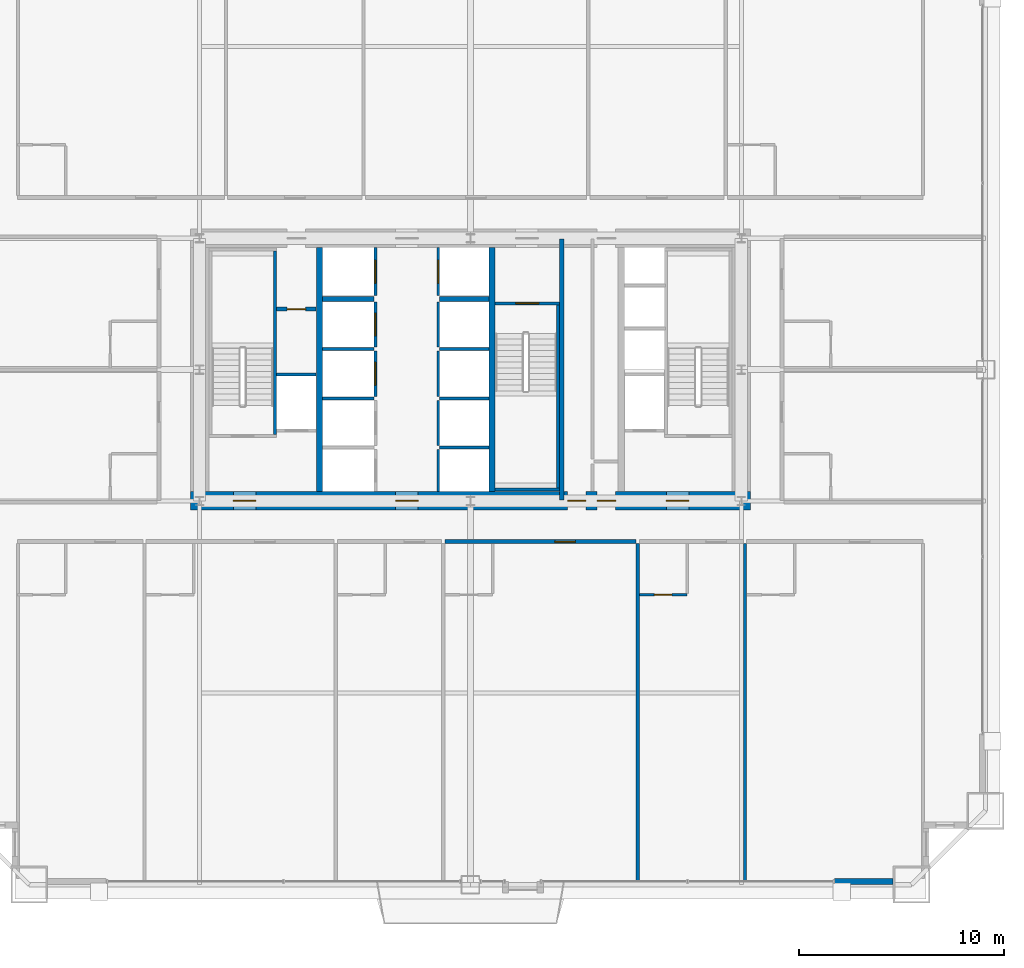
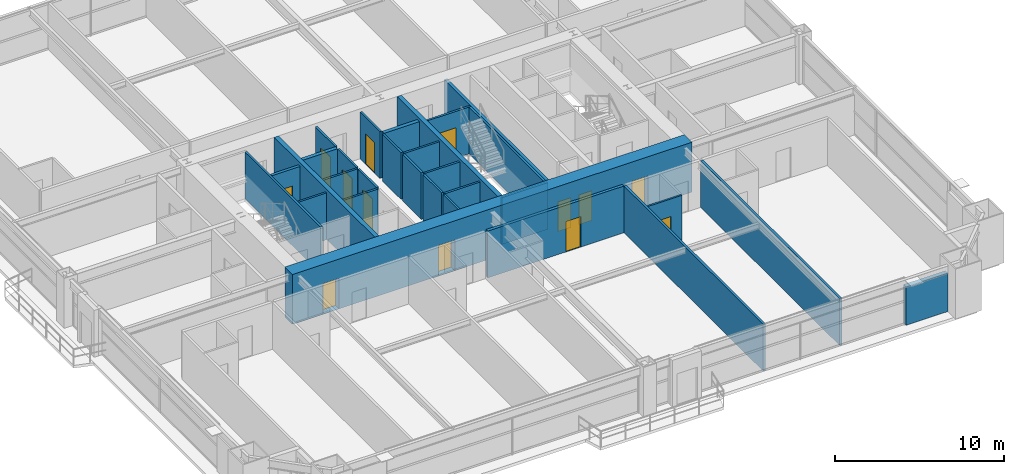
# One storey, part 42 of 46: 30 walls, 13 doors, 13 openings.
"""IFC4 building model written with IfcOpenShell, lengths in metres."""

import ifcopenshell
import ifcopenshell.guid

model = None  # the IFC model being written
_history = None  # IfcOwnerHistory: only IFC2X3 demands one
_inside = {}  # id of a spatial element -> (the spatial element, [elements in it])
_under = {}  # id of a project, library or spatial element -> (it, [spatial elements below it])
_declared = {}  # id of a project -> (the project, [libraries it declares])
_typed = {}  # id of a type object -> (the type object, [elements of that type])
_made_of = {}  # id of a material, layer set ... -> (it, [elements and type objects made of it])


def new_model(schema):
    """Start an empty IFC model of exactly this schema.

    Asked for "IFC4X3", IfcOpenShell would pick the latest addendum, in which some entities
    have other attributes; the version numbers below select the first issue.
    IFC2X3 requires an IfcOwnerHistory on every rooted entity: one is made here for all.
    """
    global model, _history
    if schema == "IFC4X3":
        model = ifcopenshell.file(schema_version=(4, 3, 0, 0))
    else:
        model = ifcopenshell.file(schema=schema)
    _inside.clear()
    _under.clear()
    _declared.clear()
    _typed.clear()
    _made_of.clear()
    _history = None
    if model.schema == "IFC2X3":
        org = make("IfcOrganization", Name="unknown")
        user = make(
            "IfcPersonAndOrganization",
            ThePerson=make("IfcPerson", FamilyName="unknown"),
            TheOrganization=org,
        )
        app = make(
            "IfcApplication",
            ApplicationDeveloper=org,
            Version="unknown",
            ApplicationFullName="unknown",
            ApplicationIdentifier="unknown",
        )
        _history = make(
            "IfcOwnerHistory",
            OwningUser=user,
            OwningApplication=app,
            ChangeAction="ADDED",
            CreationDate=0,
        )
    return model


def make(cls, **values):
    """One entity of the class cls with the attributes given. An attribute that is None is left unset."""
    return model.create_entity(
        cls, **{name: value for name, value in values.items() if value is not None}
    )


def rooted(cls, **values):
    """An entity with a GlobalId (a new one), such as an element, a storey or a relation."""
    return make(cls, GlobalId=ifcopenshell.guid.new(), OwnerHistory=_history, **values)


def si_unit(unit_type, name, prefix=None):
    """IfcSIUnit, for example si_unit("LENGTHUNIT", "METRE", prefix="MILLI")."""
    return make("IfcSIUnit", UnitType=unit_type, Prefix=prefix, Name=name)


def assignment(units):
    """IfcUnitAssignment: the units of a project."""
    return None if units is None else make("IfcUnitAssignment", Units=units)


def point(xyz):
    """IfcCartesianPoint."""
    return None if xyz is None else make("IfcCartesianPoint", Coordinates=xyz)


def direction(xyz):
    """IfcDirection."""
    return None if xyz is None else make("IfcDirection", DirectionRatios=xyz)


def frame(location, z_axis=None, x_axis=None):
    """IfcAxis2Placement3D, a coordinate frame: its origin and axes. An axis left out is left unset."""
    return make(
        "IfcAxis2Placement3D",
        Location=point(location),
        Axis=direction(z_axis),
        RefDirection=direction(x_axis),
    )


def frame_2d(location, x_axis=None):
    """IfcAxis2Placement2D, a coordinate frame in the plane: its origin and x axis."""
    return make(
        "IfcAxis2Placement2D", Location=point(location), RefDirection=direction(x_axis)
    )


def origin():
    """The frame at (0, 0, 0) with its axes left unset."""
    return frame((0.0, 0.0, 0.0))


def place(relative_to, where):
    """IfcLocalPlacement: puts the frame where relative to a parent placement (None: the world)."""
    return make(
        "IfcLocalPlacement", PlacementRelTo=relative_to, RelativePlacement=where
    )


def context(
    kind, dimensions, precision=None, world=None, true_north=None, identifier=None
):
    """IfcGeometricRepresentationContext, for example the 3D "Model" context."""
    return make(
        "IfcGeometricRepresentationContext",
        ContextIdentifier=identifier,
        ContextType=kind,
        CoordinateSpaceDimension=dimensions,
        Precision=precision,
        WorldCoordinateSystem=world,
        TrueNorth=true_north,
    )


def subcontext(parent, identifier, kind, view, scale=None):
    """IfcGeometricRepresentationSubContext, for example "Body" below "Model"."""
    return make(
        "IfcGeometricRepresentationSubContext",
        ContextIdentifier=identifier,
        ContextType=kind,
        ParentContext=parent,
        TargetScale=scale,
        TargetView=view,
    )


def project(units=None, contexts=None):
    """IfcProject with its units and contexts."""
    return rooted(
        "IfcProject",
        Name="project",
        RepresentationContexts=contexts,
        UnitsInContext=assignment(units),
    )


def spatial(cls, under=None, at=None, **own):
    """A site, building, storey or space (cls), placed at a placement, below another one or the project."""
    s = rooted(cls, ObjectPlacement=at, **own)
    if under is not None:
        _under.setdefault(under.id(), (under, []))[1].append(s)
    return s


def profile(cls, at=None, kind="AREA", **sizes):
    """A parametric profile (cls). Its sizes go by their IFC names, for example OverallWidth=200.0."""
    return make(cls, ProfileType=kind, Position=at, **sizes)


def rectangle(**sizes):
    """IfcRectangleProfileDef."""
    return profile("IfcRectangleProfileDef", **sizes)


def extrude(swept, where, along, depth):
    """IfcExtrudedAreaSolid: the profile swept, set in the frame where, extruded along a direction by depth."""
    return make(
        "IfcExtrudedAreaSolid",
        SweptArea=swept,
        Position=where,
        ExtrudedDirection=direction(along),
        Depth=depth,
    )


def shape(context_of_items, identifier, shape_type, items):
    """IfcShapeRepresentation: the items that make up one representation, for example the "Body"."""
    return make(
        "IfcShapeRepresentation",
        ContextOfItems=context_of_items,
        RepresentationIdentifier=identifier,
        RepresentationType=shape_type,
        Items=items,
    )


def source(mapping_origin, context_of_items, identifier, shape_type, items):
    """IfcRepresentationMap: a shape defined once, which mapped items show again and again."""
    return make(
        "IfcRepresentationMap",
        MappingOrigin=mapping_origin,
        MappedRepresentation=shape(context_of_items, identifier, shape_type, items),
    )


def transform(
    local_origin,
    x_axis=None,
    y_axis=None,
    z_axis=None,
    scale=None,
    scale2=None,
    scale3=None,
    uniform=True,
):
    """IfcCartesianTransformationOperator3D, or its non-uniform kind. x_axis, y_axis, z_axis: its Axis1, 2, 3."""
    if uniform:
        return make(
            "IfcCartesianTransformationOperator3D",
            Axis1=direction(x_axis),
            Axis2=direction(y_axis),
            LocalOrigin=point(local_origin),
            Scale=scale,
            Axis3=direction(z_axis),
        )
    return make(
        "IfcCartesianTransformationOperator3DnonUniform",
        Axis1=direction(x_axis),
        Axis2=direction(y_axis),
        LocalOrigin=point(local_origin),
        Scale=scale,
        Axis3=direction(z_axis),
        Scale2=scale2,
        Scale3=scale3,
    )


def mapped(mapping_source, mapping_target):
    """IfcMappedItem: shows the shape of a source again, moved by a transform."""
    return make(
        "IfcMappedItem", MappingSource=mapping_source, MappingTarget=mapping_target
    )


def material(Name=None, Category=None):
    """IfcMaterial."""
    return make("IfcMaterial", Name=Name, Category=Category)


def layer(
    of_material, thickness, ventilated=None, Name=None, Category=None, Priority=None
):
    """IfcMaterialLayer: one layer of a wall or slab, of a material (None: an air gap)."""
    return make(
        "IfcMaterialLayer",
        Material=of_material,
        LayerThickness=thickness,
        IsVentilated=ventilated,
        Name=Name,
        Category=Category,
        Priority=Priority,
    )


def layer_set(layers, Name=None):
    """IfcMaterialLayerSet."""
    return make("IfcMaterialLayerSet", MaterialLayers=layers, LayerSetName=Name)


def made_of(thing, what):
    """Note that an element or type object is made of a material, layer set ...; save() writes the relation."""
    if what is not None:
        _made_of.setdefault(what.id(), (what, []))[1].append(thing)
    return thing


def type_object(cls, material=None, **own):
    """A type object (cls), such as IfcWallType, which elements share."""
    return made_of(rooted(cls, **own), material)


def element(
    cls,
    number,
    at=None,
    inside=None,
    cuts=None,
    type_object=None,
    material=None,
    context=None,
    identifier="Body",
    shape_type=None,
    held_by="IfcProductDefinitionShape",
    body=None,
    shapes=None,
    **own,
):
    """One element of the class cls, such as IfcWall. Its Tag is "e" and its number.

    at: its placement. inside: the storey or other place that contains it. cuts: it is an
    opening in that element (IfcRelVoidsElement). A single representation is given by context,
    identifier, shape_type and body (its items); several are given by shapes. held_by: the class
    of the entity that holds the representations. save() writes the other relations.
    """
    e = rooted(cls, Tag="e%d" % number, ObjectPlacement=at, **own)
    if body is not None:
        shapes = [shape(context, identifier, shape_type, body)]
    if shapes is not None:
        e.Representation = make(held_by, Representations=shapes)
    if inside is not None:
        _inside.setdefault(inside.id(), (inside, []))[1].append(e)
    if cuts is not None:
        rooted(
            "IfcRelVoidsElement", RelatingBuildingElement=cuts, RelatedOpeningElement=e
        )
    if type_object is not None:
        _typed.setdefault(type_object.id(), (type_object, []))[1].append(e)
    return made_of(e, material)


def fill(opening, filler):
    """IfcRelFillsElement: the door or window that sits in an opening."""
    return rooted(
        "IfcRelFillsElement",
        RelatingOpeningElement=opening,
        RelatedBuildingElement=filler,
    )


def aggregate(whole, parts):
    """IfcRelAggregates: a whole, such as a stair, and the parts it consists of."""
    return rooted("IfcRelAggregates", RelatingObject=whole, RelatedObjects=parts)


def save(model, path):
    """Write the relations noted so far, then the file.

    IfcRelAggregates (storeys below a building ...), IfcRelContainedInSpatialStructure (elements
    in a storey), IfcRelDefinesByType, IfcRelAssociatesMaterial and IfcRelDeclares: one each for
    every whole, place, type object, material and project.
    """
    for whole, parts in _under.values():
        aggregate(whole, parts)
    for where, things in _inside.values():
        rooted(
            "IfcRelContainedInSpatialStructure",
            RelatedElements=things,
            RelatingStructure=where,
        )
    for kind, things in _typed.values():
        rooted("IfcRelDefinesByType", RelatedObjects=things, RelatingType=kind)
    for what, things in _made_of.values():
        rooted("IfcRelAssociatesMaterial", RelatedObjects=things, RelatingMaterial=what)
    for by, libraries in _declared.values():
        rooted("IfcRelDeclares", RelatingContext=by, RelatedDefinitions=libraries)
    model.write(path)


model = new_model("IFC4")

# Units and contexts
model_context = context("Model", 3, precision=1e-05, world=origin(), true_north=direction((0.0, 1.0)))
body_context = subcontext(model_context, "Body", "Model", "MODEL_VIEW")
ifc_project = project(units=[si_unit("LENGTHUNIT", "METRE"), si_unit("AREAUNIT", "SQUARE_METRE"), si_unit("VOLUMEUNIT", "CUBIC_METRE"), si_unit("PLANEANGLEUNIT", "RADIAN"), si_unit("MASSUNIT", "GRAM", prefix="KILO"), si_unit("THERMODYNAMICTEMPERATUREUNIT", "KELVIN"), si_unit("POWERUNIT", "WATT")], contexts=[model_context])

# Site, building, storey
site_placement = place(None, origin())
site = spatial("IfcSite", under=ifc_project, at=site_placement, CompositionType="ELEMENT")
building_placement = place(site_placement, origin())
building = spatial("IfcBuilding", under=site, at=building_placement, Name="Yuzanri Waterfront Tower", CompositionType="ELEMENT")
storey_placement = place(building_placement, frame((0.0, 0.0, 56.800048828125)))
storey = spatial("IfcBuildingStorey", under=building, at=storey_placement, Name="L14", CompositionType="ELEMENT", Elevation=56.800048828125)

# Wall, opening, door
ifc_material_1 = material(Name="Moisture-Resistant Gypsum Stud Wall", Category="gypsum")
ifc_layer_1 = layer(ifc_material_1, 0.1201171875)
ifc_layer_set_1 = layer_set([ifc_layer_1], Name="Moisture-Resistant Gypsum Stud Wall")
wall_type_1 = type_object("IfcWallType", Name="Bathroom and Kitchen Wet Partition 120", PredefinedType="PARTITIONING", material=ifc_layer_set_1)
wall_1_placement = place(storey_placement, frame((45.22705078125, 14.840087890625, 0.0), z_axis=(0.0, 0.0, 1.0), x_axis=(1.0, 0.0, 0.0)))
wall_1 = element("IfcWall", 1, at=wall_1_placement, inside=storey, type_object=wall_type_1, Name="L14 Partition UW-L14-S5-BS", PredefinedType="PARTITIONING", context=body_context, shape_type="SweptSolid", body=[
    extrude(rectangle(XDim=2.329833984375, YDim=0.1201171875, at=frame_2d((1.1650390625, 0.0))), origin(), (0.0, 0.0, 1.0), 3.3798828125),
])
opening_1_placement = place(wall_1_placement, frame((0.739990234375, 0.0, 0.0)))
opening_1 = element("IfcOpeningElement", 2, at=opening_1_placement, cuts=wall_1, Name="Opening ID-0850", PredefinedType="OPENING", context=body_context, shape_type="SweptSolid", body=[
    extrude(rectangle(XDim=0.85009765625, YDim=2.10009765625, at=frame_2d((0.425048828125, 1.050048828125))), frame((0.0, 0.074951171875, 0.0), z_axis=(0.0, -1.0, 0.0), x_axis=(1.0, 0.0, 0.0)), (0.0, 0.0, 1.0), 0.14990234375),
])
ifc_material_2 = material(Name="Moisture-Resistant Lacquered Timber", Category="wood")
door_type_1 = type_object("IfcDoorType", Name="En-Suite Bathroom and Kitchen Swing Door 850x2100", OperationType="NOTDEFINED", PredefinedType="DOOR", material=ifc_material_2)
shared_shape_1 = source(origin(), body_context, "Body", "SweptSolid", [
    extrude(rectangle(XDim=0.85009765625, YDim=2.10009765625, at=frame_2d((0.425048828125, 1.050048828125))), frame((0.0, 0.02490234375, 0.0), z_axis=(0.0, -1.0, 0.0), x_axis=(1.0, 0.0, 0.0)), (0.0, 0.0, 1.0), 0.050048828125),
])
door_1_placement = place(opening_1_placement, origin())
door_1 = element("IfcDoor", 3, at=door_1_placement, inside=storey, type_object=door_type_1, Name="L14 Guest En-Suite Door", OperationType="SINGLE_SWING_RIGHT", OverallHeight=2.10009765625, OverallWidth=0.85009765625, PredefinedType="DOOR", context=body_context, shape_type="MappedRepresentation", body=[
    mapped(shared_shape_1, transform((0.0, 0.0, 0.0), scale=1.0)),
])
fill(opening_1, door_1)

# Wall, openings, doors
ifc_material_3 = material(Name="Concrete C60", Category="concrete")
ifc_layer_2 = layer(ifc_material_3, 0.89990234375)
ifc_layer_set_2 = layer_set([ifc_layer_2], Name="Concrete C60")
wall_type_2 = type_object("IfcWallType", Name="Concrete C60 Lower Zone Core Shear Wall 900", PredefinedType="SHEAR", material=ifc_layer_set_2)
wall_2_placement = place(storey_placement, frame((23.35009765625, 19.39990234375, 0.0), z_axis=(0.0, 0.0, 1.0), x_axis=(1.0, 0.0, 0.0)))
wall_2 = element("IfcWall", 4, at=wall_2_placement, inside=storey, type_object=wall_type_2, Name="L14 Core South Shear Wall", PredefinedType="SHEAR", context=body_context, shape_type="SweptSolid", body=[
    extrude(rectangle(XDim=27.2998046875, YDim=0.89990234375, at=frame_2d((13.64990234375, 0.0))), origin(), (0.0, 0.0, 1.0), 3.599853515625),
])
opening_2_placement = place(wall_2_placement, frame((2.10009765625, 0.0, 0.0)))
opening_2 = element("IfcOpeningElement", 5, at=opening_2_placement, cuts=wall_2, Name="Opening FD-1100", PredefinedType="OPENING", context=body_context, shape_type="SweptSolid", body=[
    extrude(rectangle(XDim=1.10009765625, YDim=2.199951171875, at=frame_2d((0.550048828125, 1.10009765625))), frame((0.0, 0.46484375, 0.0), z_axis=(0.0, -1.0, 0.0), x_axis=(1.0, 0.0, 0.0)), (0.0, 0.0, 1.0), 0.9296875),
])
opening_3_placement = place(wall_2_placement, frame((10.0, 0.0, 0.0)))
opening_3 = element("IfcOpeningElement", 6, at=opening_3_placement, cuts=wall_2, Name="Opening FD-1100", PredefinedType="OPENING", context=body_context, shape_type="SweptSolid", body=[
    extrude(rectangle(XDim=1.10009765625, YDim=2.199951171875, at=frame_2d((0.550048828125, 1.10009765625))), frame((0.0, 0.46484375, 0.0), z_axis=(0.0, -1.0, 0.0), x_axis=(1.0, 0.0, 0.0)), (0.0, 0.0, 1.0), 0.9296875),
])
opening_4_placement = place(wall_2_placement, frame((23.199951171875, 0.0, 0.0)))
opening_4 = element("IfcOpeningElement", 7, at=opening_4_placement, cuts=wall_2, Name="Opening FD-1100", PredefinedType="OPENING", context=body_context, shape_type="SweptSolid", body=[
    extrude(rectangle(XDim=1.10009765625, YDim=2.199951171875, at=frame_2d((0.550048828125, 1.10009765625))), frame((0.0, 0.46484375, 0.0), z_axis=(0.0, -1.0, 0.0), x_axis=(1.0, 0.0, 0.0)), (0.0, 0.0, 1.0), 0.9296875),
])
opening_5_placement = place(wall_2_placement, frame((19.820068359375, 0.0, 0.0)))
opening_5 = element("IfcOpeningElement", 8, at=opening_5_placement, cuts=wall_2, Name="Opening FD-0900", PredefinedType="OPENING", context=body_context, shape_type="SweptSolid", body=[
    extrude(rectangle(XDim=0.89990234375, YDim=2.14990234375, at=frame_2d((0.449951171875, 1.074951171875))), frame((0.0, 0.46484375, 0.0), z_axis=(0.0, -1.0, 0.0), x_axis=(1.0, 0.0, 0.0)), (0.0, 0.0, 1.0), 0.9296875),
])
opening_6_placement = place(wall_2_placement, frame((18.3798828125, 0.0, 0.0)))
opening_6 = element("IfcOpeningElement", 9, at=opening_6_placement, cuts=wall_2, Name="Opening FD-0900", PredefinedType="OPENING", context=body_context, shape_type="SweptSolid", body=[
    extrude(rectangle(XDim=0.89990234375, YDim=2.14990234375, at=frame_2d((0.449951171875, 1.074951171875))), frame((0.0, 0.46484375, 0.0), z_axis=(0.0, -1.0, 0.0), x_axis=(1.0, 0.0, 0.0)), (0.0, 0.0, 1.0), 0.9296875),
])
ifc_material_4 = material(Name="Painted Galvanized Fire Steel", Category="steel")
door_type_2 = type_object("IfcDoorType", Name="Smoke-Proof Stair and Lobby Fire Door 1100x2200", OperationType="NOTDEFINED", PredefinedType="DOOR", material=ifc_material_4)
shared_shape_2 = source(origin(), body_context, "Body", "SweptSolid", [
    extrude(rectangle(XDim=1.10009765625, YDim=2.199951171875, at=frame_2d((0.550048828125, 1.10009765625))), frame((0.0, 0.02490234375, 0.0), z_axis=(0.0, -1.0, 0.0), x_axis=(1.0, 0.0, 0.0)), (0.0, 0.0, 1.0), 0.050048828125),
])
door_2_placement = place(opening_2_placement, origin())
door_2 = element("IfcDoor", 10, at=door_2_placement, inside=storey, type_object=door_type_2, Name="L14 West Firefighting Lobby Door", OperationType="SINGLE_SWING_LEFT", OverallHeight=2.199951171875, OverallWidth=1.10009765625, PredefinedType="DOOR", context=body_context, shape_type="MappedRepresentation", body=[
    mapped(shared_shape_2, transform((0.0, 0.0, 0.0), scale=1.0)),
])
fill(opening_2, door_2)
door_3_placement = place(opening_3_placement, origin())
door_3 = element("IfcDoor", 11, at=door_3_placement, inside=storey, type_object=door_type_2, Name="L14 Central Lift Lobby South Door", OperationType="SINGLE_SWING_RIGHT", OverallHeight=2.199951171875, OverallWidth=1.10009765625, PredefinedType="DOOR", context=body_context, shape_type="MappedRepresentation", body=[
    mapped(shared_shape_2, transform((0.0, 0.0, 0.0), scale=1.0)),
])
fill(opening_3, door_3)
door_4_placement = place(opening_4_placement, origin())
door_4 = element("IfcDoor", 12, at=door_4_placement, inside=storey, type_object=door_type_2, Name="L14 East Firefighting Lobby Door", OperationType="SINGLE_SWING_LEFT", OverallHeight=2.199951171875, OverallWidth=1.10009765625, PredefinedType="DOOR", context=body_context, shape_type="MappedRepresentation", body=[
    mapped(shared_shape_2, transform((0.0, 0.0, 0.0), scale=1.0)),
])
fill(opening_4, door_4)
ifc_material_5 = material(Name="Painted Galvanized Fire Steel", Category="steel")
door_type_3 = type_object("IfcDoorType", Name="Riser and Service Room Fire Door 900x2150", OperationType="NOTDEFINED", PredefinedType="DOOR", material=ifc_material_5)
shared_shape_3 = source(origin(), body_context, "Body", "SweptSolid", [
    extrude(rectangle(XDim=0.89990234375, YDim=2.14990234375, at=frame_2d((0.449951171875, 1.074951171875))), frame((0.0, 0.02490234375, 0.0), z_axis=(0.0, -1.0, 0.0), x_axis=(1.0, 0.0, 0.0)), (0.0, 0.0, 1.0), 0.050048828125),
])
door_5_placement = place(opening_5_placement, origin())
door_5 = element("IfcDoor", 13, at=door_5_placement, inside=storey, type_object=door_type_3, Name="L14 East Wet Riser Door", OperationType="SINGLE_SWING_RIGHT", OverallHeight=2.14990234375, OverallWidth=0.89990234375, PredefinedType="DOOR", context=body_context, shape_type="MappedRepresentation", body=[
    mapped(shared_shape_3, transform((0.0, 0.0, 0.0), scale=1.0)),
])
fill(opening_5, door_5)
door_6_placement = place(opening_6_placement, origin())
door_6 = element("IfcDoor", 14, at=door_6_placement, inside=storey, type_object=door_type_3, Name="L14 Housekeeping Room", OperationType="SINGLE_SWING_LEFT", OverallHeight=2.14990234375, OverallWidth=0.89990234375, PredefinedType="DOOR", context=body_context, shape_type="MappedRepresentation", body=[
    mapped(shared_shape_3, transform((0.0, 0.0, 0.0), scale=1.0)),
])
fill(opening_6, door_6)

# Wall, opening, door
ifc_material_6 = material(Name="Concrete C40", Category="concrete")
ifc_layer_3 = layer(ifc_material_6, 0.139892578125)
ifc_layer_set_3 = layer_set([ifc_layer_3], Name="Concrete C40")
wall_type_3 = type_object("IfcWallType", Name="Core Stair Liner and Hoistway Shaft Wall 140", PredefinedType="SOLIDWALL", material=ifc_layer_set_3)
wall_3_placement = place(storey_placement, frame((32.3701171875, 24.5, 0.0), z_axis=(0.0, 0.0, 1.0), x_axis=(0.0, 1.0, 0.0)))
wall_3 = element("IfcWall", 15, at=wall_3_placement, inside=storey, type_object=wall_type_3, Name="L14 Lift PL-03 Front Shaft Wall", PredefinedType="SOLIDWALL", context=body_context, shape_type="SweptSolid", body=[
    extrude(rectangle(XDim=2.199951171875, YDim=0.139892578125, at=frame_2d((1.10009765625, 0.0))), origin(), (0.0, 0.0, 1.0), 3.3798828125),
])
opening_7_placement = place(wall_3_placement, frame((0.550048828125, 0.0, 0.0)))
opening_7 = element("IfcOpeningElement", 16, at=opening_7_placement, cuts=wall_3, Name="Opening LD-PL-03", PredefinedType="OPENING", context=body_context, shape_type="SweptSolid", body=[
    extrude(rectangle(XDim=1.10009765625, YDim=2.199951171875, at=frame_2d((0.550048828125, 1.10009765625))), frame((0.0, 0.0849609375, 0.0), z_axis=(0.0, -1.0, 0.0), x_axis=(1.0, 0.0, 0.0)), (0.0, 0.0, 1.0), 0.169677734375),
])
ifc_material_7 = material(Name="Brushed Bronze and Stainless Steel Cab", Category="steel")
door_type_4 = type_object("IfcDoorType", Name="Center-Parting Bronze Lift Landing Sliding Door 1100x2200", OperationType="NOTDEFINED", PredefinedType="DOOR", material=ifc_material_7)
shared_shape_4 = source(origin(), body_context, "Body", "SweptSolid", [
    extrude(rectangle(XDim=1.10009765625, YDim=2.199951171875, at=frame_2d((0.550048828125, 1.10009765625))), frame((0.0, 0.02490234375, 0.0), z_axis=(0.0, -1.0, 0.0), x_axis=(1.0, 0.0, 0.0)), (0.0, 0.0, 1.0), 0.050048828125),
])
door_7_placement = place(opening_7_placement, origin())
door_7 = element("IfcDoor", 17, at=door_7_placement, inside=storey, type_object=door_type_4, Name="L14 PL-03 Lift Landing Sliding Door", OperationType="SLIDING_TO_LEFT", OverallHeight=2.199951171875, OverallWidth=1.10009765625, PredefinedType="DOOR", context=body_context, shape_type="MappedRepresentation", body=[
    mapped(shared_shape_4, transform((0.0, 0.0, 0.0), scale=1.0)),
])
fill(opening_7, door_7)

wall_4_placement = place(storey_placement, frame((32.3701171875, 26.89990234375, 0.0), z_axis=(0.0, 0.0, 1.0), x_axis=(0.0, 1.0, 0.0)))
wall_4 = element("IfcWall", 18, at=wall_4_placement, inside=storey, type_object=wall_type_3, Name="L14 Lift PL-04 Front Shaft Wall", PredefinedType="SOLIDWALL", context=body_context, shape_type="SweptSolid", body=[
    extrude(rectangle(XDim=2.2001953125, YDim=0.139892578125, at=frame_2d((1.10009765625, 0.0))), origin(), (0.0, 0.0, 1.0), 3.3798828125),
])
opening_8_placement = place(wall_4_placement, frame((0.550048828125, 0.0, 0.0)))
opening_8 = element("IfcOpeningElement", 19, at=opening_8_placement, cuts=wall_4, Name="Opening LD-PL-04", PredefinedType="OPENING", context=body_context, shape_type="SweptSolid", body=[
    extrude(rectangle(XDim=1.10009765625, YDim=2.199951171875, at=frame_2d((0.550048828125, 1.10009765625))), frame((0.0, 0.0849609375, 0.0), z_axis=(0.0, -1.0, 0.0), x_axis=(1.0, 0.0, 0.0)), (0.0, 0.0, 1.0), 0.169677734375),
])
door_8_placement = place(opening_8_placement, origin())
door_8 = element("IfcDoor", 20, at=door_8_placement, inside=storey, type_object=door_type_4, Name="L14 PL-04 Lift Landing Sliding Door", OperationType="SLIDING_TO_RIGHT", OverallHeight=2.199951171875, OverallWidth=1.10009765625, PredefinedType="DOOR", context=body_context, shape_type="MappedRepresentation", body=[
    mapped(shared_shape_4, transform((0.0, 0.0, 0.0), scale=1.0)),
])
fill(opening_8, door_8)

wall_5_placement = place(storey_placement, frame((32.3701171875, 29.39990234375, 0.0), z_axis=(0.0, 0.0, 1.0), x_axis=(0.0, 1.0, 0.0)))
wall_5 = element("IfcWall", 21, at=wall_5_placement, inside=storey, type_object=wall_type_3, Name="L14 Lift SL-01 Front Shaft Wall", PredefinedType="SOLIDWALL", context=body_context, shape_type="SweptSolid", body=[
    extrude(rectangle(XDim=2.340087890625, YDim=0.139892578125, at=frame_2d((1.169921875, 0.0))), origin(), (0.0, 0.0, 1.0), 3.3798828125),
])
opening_9_placement = place(wall_5_placement, frame((0.6201171875, 0.0, 0.0)))
opening_9 = element("IfcOpeningElement", 22, at=opening_9_placement, cuts=wall_5, Name="Opening LD-SL-01", PredefinedType="OPENING", context=body_context, shape_type="SweptSolid", body=[
    extrude(rectangle(XDim=1.10009765625, YDim=2.199951171875, at=frame_2d((0.550048828125, 1.10009765625))), frame((0.0, 0.0849609375, 0.0), z_axis=(0.0, -1.0, 0.0), x_axis=(1.0, 0.0, 0.0)), (0.0, 0.0, 1.0), 0.169677734375),
])
door_9_placement = place(opening_9_placement, origin())
door_9 = element("IfcDoor", 23, at=door_9_placement, inside=storey, type_object=door_type_4, Name="L14 SL-01 Lift Landing Sliding Door", OperationType="SLIDING_TO_LEFT", OverallHeight=2.199951171875, OverallWidth=1.10009765625, PredefinedType="DOOR", context=body_context, shape_type="MappedRepresentation", body=[
    mapped(shared_shape_4, transform((0.0, 0.0, 0.0), scale=1.0)),
])
fill(opening_9, door_9)

wall_6_placement = place(storey_placement, frame((35.429931640625, 29.39990234375, 0.0), z_axis=(0.0, 0.0, 1.0), x_axis=(0.0, 1.0, 0.0)))
wall_6 = element("IfcWall", 24, at=wall_6_placement, inside=storey, type_object=wall_type_3, Name="L14 Lift SL-02 Front Shaft Wall", PredefinedType="SOLIDWALL", context=body_context, shape_type="SweptSolid", body=[
    extrude(rectangle(XDim=2.340087890625, YDim=0.139892578125, at=frame_2d((1.169921875, 0.0))), origin(), (0.0, 0.0, 1.0), 3.3798828125),
])
opening_10_placement = place(wall_6_placement, frame((0.6201171875, 0.0, 0.0)))
opening_10 = element("IfcOpeningElement", 25, at=opening_10_placement, cuts=wall_6, Name="Opening LD-SL-02", PredefinedType="OPENING", context=body_context, shape_type="SweptSolid", body=[
    extrude(rectangle(XDim=1.10009765625, YDim=2.199951171875, at=frame_2d((0.550048828125, 1.10009765625))), frame((0.0, 0.0849609375, 0.0), z_axis=(0.0, -1.0, 0.0), x_axis=(1.0, 0.0, 0.0)), (0.0, 0.0, 1.0), 0.169677734375),
])
door_10_placement = place(opening_10_placement, origin())
door_10 = element("IfcDoor", 26, at=door_10_placement, inside=storey, type_object=door_type_4, Name="L14 SL-02 Lift Landing Sliding Door", OperationType="SLIDING_TO_RIGHT", OverallHeight=2.199951171875, OverallWidth=1.10009765625, PredefinedType="DOOR", context=body_context, shape_type="MappedRepresentation", body=[
    mapped(shared_shape_4, transform((0.0, 0.0, 0.0), scale=1.0)),
])
fill(opening_10, door_10)

wall_7_placement = place(storey_placement, frame((38.199951171875, 29.030029296875, 0.0), z_axis=(0.0, 0.0, 1.0), x_axis=(1.0, 0.0, 0.0)))
wall_7 = element("IfcWall", 27, at=wall_7_placement, inside=storey, type_object=wall_type_3, Name="L14 Shaft Wall STW-L14-ST-03-N", PredefinedType="SOLIDWALL", context=body_context, shape_type="SweptSolid", body=[
    extrude(rectangle(XDim=3.14013671875, YDim=0.139892578125, at=frame_2d((1.570068359375, 0.0))), origin(), (0.0, 0.0, 1.0), 3.3798828125),
])
opening_11_placement = place(wall_7_placement, frame((1.02001953125, 0.0, 0.0)))
opening_11 = element("IfcOpeningElement", 28, at=opening_11_placement, cuts=wall_7, Name="Opening FD-1100", PredefinedType="OPENING", context=body_context, shape_type="SweptSolid", body=[
    extrude(rectangle(XDim=1.10009765625, YDim=2.199951171875, at=frame_2d((0.550048828125, 1.10009765625))), frame((0.0, 0.0849609375, 0.0), z_axis=(0.0, -1.0, 0.0), x_axis=(1.0, 0.0, 0.0)), (0.0, 0.0, 1.0), 0.169677734375),
])
door_11_placement = place(opening_11_placement, origin())
door_11 = element("IfcDoor", 29, at=door_11_placement, inside=storey, type_object=door_type_2, Name="L14 Stair ST-03 Fire Door", OperationType="SINGLE_SWING_RIGHT", OverallHeight=2.199951171875, OverallWidth=1.10009765625, PredefinedType="DOOR", context=body_context, shape_type="MappedRepresentation", body=[
    mapped(shared_shape_2, transform((0.0, 0.0, 0.0), scale=1.0)),
])
fill(opening_11, door_11)

ifc_material_8 = material(Name="Autoclaved Aerated Concrete Blockwork", Category="masonry")
ifc_layer_4 = layer(ifc_material_8, 0.199951171875)
ifc_layer_set_4 = layer_set([ifc_layer_4], Name="Autoclaved Aerated Concrete Blockwork")
wall_type_4 = type_object("IfcWallType", Name="Corridor and Unit Party Fire Wall 200", PredefinedType="PARTITIONING", material=ifc_layer_set_4)
wall_8_placement = place(storey_placement, frame((27.56005859375, 28.75, 0.0), z_axis=(0.0, 0.0, 1.0), x_axis=(1.0, 0.0, 0.0)))
wall_8 = element("IfcWall", 30, at=wall_8_placement, inside=storey, type_object=wall_type_4, Name="L14 Partition CRW-L14-ERTR", PredefinedType="PARTITIONING", context=body_context, shape_type="SweptSolid", body=[
    extrude(rectangle(XDim=1.919921875, YDim=0.199951171875, at=frame_2d((0.9599609375, 0.0))), origin(), (0.0, 0.0, 1.0), 3.3798828125),
])
opening_12_placement = place(wall_8_placement, frame((0.510009765625, 0.0, 0.0)))
opening_12 = element("IfcOpeningElement", 31, at=opening_12_placement, cuts=wall_8, Name="Opening FD-0900", PredefinedType="OPENING", context=body_context, shape_type="SweptSolid", body=[
    extrude(rectangle(XDim=0.89990234375, YDim=2.14990234375, at=frame_2d((0.449951171875, 1.074951171875))), frame((0.0, 0.11474609375, 0.0), z_axis=(0.0, -1.0, 0.0), x_axis=(1.0, 0.0, 0.0)), (0.0, 0.0, 1.0), 0.229736328125),
])
door_12_placement = place(opening_12_placement, origin())
door_12 = element("IfcDoor", 32, at=door_12_placement, inside=storey, type_object=door_type_3, Name="L14 Electrical Riser Door", OperationType="SINGLE_SWING_LEFT", OverallHeight=2.14990234375, OverallWidth=0.89990234375, PredefinedType="DOOR", context=body_context, shape_type="MappedRepresentation", body=[
    mapped(shared_shape_3, transform((0.0, 0.0, 0.0), scale=1.0)),
])
fill(opening_12, door_12)

wall_9_placement = place(storey_placement, frame((35.756103515625, 17.419921875, 0.0), z_axis=(0.0, 0.0, 1.0), x_axis=(1.0, 0.0, 0.0)))
wall_9 = element("IfcWall", 33, at=wall_9_placement, inside=storey, type_object=wall_type_4, Name="L14 Partition UW-L14-S4-CN", PredefinedType="PARTITIONING", context=body_context, shape_type="SweptSolid", body=[
    extrude(rectangle(XDim=9.310791015625, YDim=0.199951171875, at=frame_2d((4.6552734375, 0.0))), origin(), (0.0, 0.0, 1.0), 3.3798828125),
])
opening_13_placement = place(wall_9_placement, frame((5.361083984375, 0.0, 0.0)))
opening_13 = element("IfcOpeningElement", 34, at=opening_13_placement, cuts=wall_9, Name="Opening FD-1000", PredefinedType="OPENING", context=body_context, shape_type="SweptSolid", body=[
    extrude(rectangle(XDim=1.0, YDim=2.199951171875, at=frame_2d((0.5, 1.10009765625))), frame((0.0, 0.11474609375, 0.0), z_axis=(0.0, -1.0, 0.0), x_axis=(1.0, 0.0, 0.0)), (0.0, 0.0, 1.0), 0.229736328125),
])
ifc_material_9 = material(Name="Engineered Oak Fire-Rated Timber", Category="wood")
door_type_5 = type_object("IfcDoorType", Name="Guestroom and Apartment Entrance Fire Door 1000x2200", OperationType="NOTDEFINED", PredefinedType="DOOR", material=ifc_material_9)
shared_shape_5 = source(origin(), body_context, "Body", "SweptSolid", [
    extrude(rectangle(XDim=1.0, YDim=2.199951171875, at=frame_2d((0.5, 1.10009765625))), frame((0.0, 0.02490234375, 0.0), z_axis=(0.0, -1.0, 0.0), x_axis=(1.0, 0.0, 0.0)), (0.0, 0.0, 1.0), 0.050048828125),
])
door_13_placement = place(opening_13_placement, origin())
door_13 = element("IfcDoor", 35, at=door_13_placement, inside=storey, type_object=door_type_5, Name="L14 Deluxe Riverfront Junior Suite Entrance Door", OperationType="SINGLE_SWING_LEFT", OverallHeight=2.199951171875, OverallWidth=1.0, PredefinedType="DOOR", context=body_context, shape_type="MappedRepresentation", body=[
    mapped(shared_shape_5, transform((0.0, 0.0, 0.0), scale=1.0)),
])
fill(opening_13, door_13)

# Walls
ifc_material_10 = material(Name="Concrete C50", Category="concrete")
ifc_layer_5 = layer(ifc_material_10, 0.300048828125)
ifc_layer_set_5 = layer_set([ifc_layer_5], Name="Concrete C50")
wall_type_5 = type_object("IfcWallType", Name="Concrete C50 Internal Core Shaft Structural Wall 300", PredefinedType="SOLIDWALL", material=ifc_layer_set_5)
shared_shape_6 = source(origin(), body_context, "Body", "SweptSolid", [
    extrude(rectangle(XDim=11.89990234375, YDim=0.300048828125, at=frame_2d((5.949951171875, 0.0))), origin(), (0.0, 0.0, 1.0), 3.599853515625),
])
for number, where, z_axis, x_axis, name in (
    (36, (29.64990234375, 19.85009765625, 0.0), (0.0, 0.0, 1.0), (0.0, 1.0, 0.0), "L14 Core Internal Structural Web Wall 1"),
    (37, (38.050048828125, 19.85009765625, 0.0), (0.0, 0.0, 1.0), (0.0, 1.0, 0.0), "L14 Core Internal Structural Web Wall 2"),
):
    element("IfcWall", number, at=place(storey_placement, frame(where, z_axis=z_axis, x_axis=x_axis)), inside=storey, type_object=wall_type_5, Name=name, PredefinedType="SOLIDWALL", context=body_context, shape_type="MappedRepresentation", body=[
        mapped(shared_shape_6, transform((0.0, 0.0, 0.0), scale=1.0)),
    ])
ifc_material_11 = material(Name="Honed Chongqing Dark Basalt Stone", Category="masonry")
ifc_layer_6 = layer(ifc_material_11, 0.300048828125)
ifc_layer_set_6 = layer_set([ifc_layer_6], Name="Honed Chongqing Dark Basalt Stone")
wall_type_6 = type_object("IfcWallType", Name="Bronze Rainscreen Insulated Spandrel Portal Wall 300", PredefinedType="SOLIDWALL", material=ifc_layer_set_6)
shared_shape_7 = source(origin(), body_context, "Body", "SweptSolid", [
    extrude(rectangle(XDim=2.85009765625, YDim=0.300048828125, at=frame_2d((1.425048828125, 0.0))), origin(), (0.0, 0.0, 1.0), 2.77490234375),
])
wall_10_placement = place(storey_placement, frame((54.75, 0.85009765625, 0.0), z_axis=(0.0, 0.0, 1.0), x_axis=(1.0, 0.0, 0.0)))
element("IfcWall", 38, at=wall_10_placement, inside=storey, type_object=wall_type_6, Name="L14 S Right Braced Masonry Shoulder", PredefinedType="SOLIDWALL", context=body_context, shape_type="MappedRepresentation", body=[
    mapped(shared_shape_7, transform((0.0, 0.0, 0.0), scale=1.0)),
])
shared_shape_8 = source(origin(), body_context, "Body", "SweptSolid", [
    extrude(rectangle(XDim=1.919921875, YDim=0.139892578125, at=frame_2d((0.9599609375, 0.0))), origin(), (0.0, 0.0, 1.0), 3.3798828125),
])
wall_11_placement = place(storey_placement, frame((27.56005859375, 25.570068359375, 0.0), z_axis=(0.0, 0.0, 1.0), x_axis=(1.0, 0.0, 0.0)))
element("IfcWall", 39, at=wall_11_placement, inside=storey, type_object=wall_type_3, Name="L14 Lift FL-01 Back Shaft Wall", PredefinedType="SOLIDWALL", context=body_context, shape_type="MappedRepresentation", body=[
    mapped(shared_shape_8, transform((0.0, 0.0, 0.0), scale=1.0)),
])
shared_shape_9 = source(origin(), body_context, "Body", "SweptSolid", [
    extrude(rectangle(XDim=2.5, YDim=0.139892578125, at=frame_2d((1.25, 0.0))), origin(), (0.0, 0.0, 1.0), 3.3798828125),
])
for number, where, z_axis, x_axis, name in (
    (40, (29.800048828125, 24.39990234375, 0.0), (0.0, 0.0, 1.0), (1.0, 0.0, 0.0), "L14 Lift PL-02 Divider Wall"),
    (41, (29.800048828125, 26.800048828125, 0.0), (0.0, 0.0, 1.0), (1.0, 0.0, 0.0), "L14 Lift PL-03 Divider Wall"),
):
    element("IfcWall", number, at=place(storey_placement, frame(where, z_axis=z_axis, x_axis=x_axis)), inside=storey, type_object=wall_type_3, Name=name, PredefinedType="SOLIDWALL", context=body_context, shape_type="MappedRepresentation", body=[
        mapped(shared_shape_9, transform((0.0, 0.0, 0.0), scale=1.0)),
    ])
ifc_material_12 = material(Name="Concrete C40", Category="concrete")
ifc_layer_7 = layer(ifc_material_12, 0.25)
ifc_layer_set_7 = layer_set([ifc_layer_7], Name="Concrete C40")
wall_type_7 = type_object("IfcWallType", Name="Smoke-Proof Stair and Lift Shaft Wall 250", PredefinedType="SOLIDWALL", material=ifc_layer_set_7)
shared_shape_10 = source(origin(), body_context, "Body", "SweptSolid", [
    extrude(rectangle(XDim=2.5, YDim=0.25, at=frame_2d((1.25, 0.0))), origin(), (0.0, 0.0, 1.0), 3.3798828125),
])
wall_12_placement = place(storey_placement, frame((29.800048828125, 29.25, 0.0), z_axis=(0.0, 0.0, 1.0), x_axis=(1.0, 0.0, 0.0)))
element("IfcWall", 42, at=wall_12_placement, inside=storey, type_object=wall_type_7, Name="L14 Lift SL-01 South Shaft Wall", PredefinedType="SOLIDWALL", context=body_context, shape_type="MappedRepresentation", body=[
    mapped(shared_shape_10, transform((0.0, 0.0, 0.0), scale=1.0)),
])
shared_shape_11 = source(origin(), body_context, "Body", "SweptSolid", [
    extrude(rectangle(XDim=2.039794921875, YDim=0.139892578125, at=frame_2d((1.02001953125, 0.0))), origin(), (0.0, 0.0, 1.0), 3.3798828125),
])
wall_13_placement = place(storey_placement, frame((35.429931640625, 19.860107421875, 0.0), z_axis=(0.0, 0.0, 1.0), x_axis=(0.0, 1.0, 0.0)))
element("IfcWall", 43, at=wall_13_placement, inside=storey, type_object=wall_type_3, Name="L14 Lift PL-05 Front Shaft Wall", PredefinedType="SOLIDWALL", context=body_context, shape_type="MappedRepresentation", body=[
    mapped(shared_shape_11, transform((0.0, 0.0, 0.0), scale=1.0)),
])
shared_shape_12 = source(origin(), body_context, "Body", "SweptSolid", [
    extrude(rectangle(XDim=2.39990234375, YDim=0.139892578125, at=frame_2d((1.199951171875, 0.0))), origin(), (0.0, 0.0, 1.0), 3.3798828125),
])
for number, where, z_axis, x_axis, name in (
    (44, (35.5, 22.0, 0.0), (0.0, 0.0, 1.0), (1.0, 0.0, 0.0), "L14 Lift PL-05 Divider Wall"),
    (45, (35.5, 24.39990234375, 0.0), (0.0, 0.0, 1.0), (1.0, 0.0, 0.0), "L14 Lift PL-06 Divider Wall"),
    (46, (35.5, 26.800048828125, 0.0), (0.0, 0.0, 1.0), (1.0, 0.0, 0.0), "L14 Lift PL-07 Divider Wall"),
):
    element("IfcWall", number, at=place(storey_placement, frame(where, z_axis=z_axis, x_axis=x_axis)), inside=storey, type_object=wall_type_3, Name=name, PredefinedType="SOLIDWALL", context=body_context, shape_type="MappedRepresentation", body=[
        mapped(shared_shape_12, transform((0.0, 0.0, 0.0), scale=1.0)),
    ])
shared_shape_13 = source(origin(), body_context, "Body", "SweptSolid", [
    extrude(rectangle(XDim=2.199951171875, YDim=0.139892578125, at=frame_2d((1.10009765625, 0.0))), origin(), (0.0, 0.0, 1.0), 3.3798828125),
])
for number, where, z_axis, x_axis, name in (
    (47, (35.429931640625, 22.10009765625, 0.0), (0.0, 0.0, 1.0), (0.0, 1.0, 0.0), "L14 Lift PL-06 Front Shaft Wall"),
    (48, (35.429931640625, 24.5, 0.0), (0.0, 0.0, 1.0), (0.0, 1.0, 0.0), "L14 Lift PL-07 Front Shaft Wall"),
):
    element("IfcWall", number, at=place(storey_placement, frame(where, z_axis=z_axis, x_axis=x_axis)), inside=storey, type_object=wall_type_3, Name=name, PredefinedType="SOLIDWALL", context=body_context, shape_type="MappedRepresentation", body=[
        mapped(shared_shape_13, transform((0.0, 0.0, 0.0), scale=1.0)),
    ])
shared_shape_14 = source(origin(), body_context, "Body", "SweptSolid", [
    extrude(rectangle(XDim=2.2001953125, YDim=0.139892578125, at=frame_2d((1.10009765625, 0.0))), origin(), (0.0, 0.0, 1.0), 3.3798828125),
])
wall_14_placement = place(storey_placement, frame((35.429931640625, 26.89990234375, 0.0), z_axis=(0.0, 0.0, 1.0), x_axis=(0.0, 1.0, 0.0)))
element("IfcWall", 49, at=wall_14_placement, inside=storey, type_object=wall_type_3, Name="L14 Lift PL-08 Front Shaft Wall", PredefinedType="SOLIDWALL", context=body_context, shape_type="MappedRepresentation", body=[
    mapped(shared_shape_14, transform((0.0, 0.0, 0.0), scale=1.0)),
])
shared_shape_15 = source(origin(), body_context, "Body", "SweptSolid", [
    extrude(rectangle(XDim=2.39990234375, YDim=0.25, at=frame_2d((1.199951171875, 0.0))), origin(), (0.0, 0.0, 1.0), 3.3798828125),
])
wall_15_placement = place(storey_placement, frame((35.5, 29.25, 0.0), z_axis=(0.0, 0.0, 1.0), x_axis=(1.0, 0.0, 0.0)))
element("IfcWall", 50, at=wall_15_placement, inside=storey, type_object=wall_type_7, Name="L14 Lift SL-02 South Shaft Wall", PredefinedType="SOLIDWALL", context=body_context, shape_type="MappedRepresentation", body=[
    mapped(shared_shape_15, transform((0.0, 0.0, 0.0), scale=1.0)),
])
shared_shape_16 = source(origin(), body_context, "Body", "SweptSolid", [
    extrude(rectangle(XDim=8.940185546875, YDim=0.139892578125, at=frame_2d((4.47021484375, 0.0))), origin(), (0.0, 0.0, 1.0), 3.3798828125),
])
wall_16_placement = place(storey_placement, frame((27.469970703125, 22.639892578125, 0.0), z_axis=(0.0, 0.0, 1.0), x_axis=(0.0, 1.0, 0.0)))
element("IfcWall", 51, at=wall_16_placement, inside=storey, type_object=wall_type_3, Name="L14 Stair ST-01 East Shaft Wall", PredefinedType="SOLIDWALL", context=body_context, shape_type="MappedRepresentation", body=[
    mapped(shared_shape_16, transform((0.0, 0.0, 0.0), scale=1.0)),
])
shared_shape_17 = source(origin(), body_context, "Body", "SweptSolid", [
    extrude(rectangle(XDim=3.14013671875, YDim=0.139892578125, at=frame_2d((1.570068359375, 0.0))), origin(), (0.0, 0.0, 1.0), 3.3798828125),
])
wall_17_placement = place(storey_placement, frame((38.199951171875, 19.949951171875, 0.0), z_axis=(0.0, 0.0, 1.0), x_axis=(1.0, 0.0, 0.0)))
element("IfcWall", 52, at=wall_17_placement, inside=storey, type_object=wall_type_3, Name="L14 Stair ST-03 South Shaft Wall", PredefinedType="SOLIDWALL", context=body_context, shape_type="MappedRepresentation", body=[
    mapped(shared_shape_17, transform((0.0, 0.0, 0.0), scale=1.0)),
])
shared_shape_18 = source(origin(), body_context, "Body", "SweptSolid", [
    extrude(rectangle(XDim=8.93994140625, YDim=0.139892578125, at=frame_2d((4.469970703125, 0.0))), origin(), (0.0, 0.0, 1.0), 3.3798828125),
])
wall_18_placement = place(storey_placement, frame((41.27001953125, 20.02001953125, 0.0), z_axis=(0.0, 0.0, 1.0), x_axis=(0.0, 1.0, 0.0)))
element("IfcWall", 53, at=wall_18_placement, inside=storey, type_object=wall_type_3, Name="L14 Stair ST-03 East Shaft Wall", PredefinedType="SOLIDWALL", context=body_context, shape_type="MappedRepresentation", body=[
    mapped(shared_shape_18, transform((0.0, 0.0, 0.0), scale=1.0)),
])
shared_shape_19 = source(origin(), body_context, "Body", "SweptSolid", [
    extrude(rectangle(XDim=12.719970703125, YDim=0.199951171875, at=frame_2d((6.35986328125, 0.0))), origin(), (0.0, 0.0, 1.0), 3.3798828125),
])
wall_19_placement = place(storey_placement, frame((41.449951171875, 19.43994140625, 0.0), z_axis=(0.0, 0.0, 1.0), x_axis=(0.0, 1.0, 0.0)))
element("IfcWall", 54, at=wall_19_placement, inside=storey, type_object=wall_type_4, Name="L14 Core BOH West Wall 1", PredefinedType="PARTITIONING", context=body_context, shape_type="MappedRepresentation", body=[
    mapped(shared_shape_19, transform((0.0, 0.0, 0.0), scale=1.0)),
])
ifc_material_13 = material(Name="Gypsum Fireboard Acoustic Stud Wall", Category="gypsum")
ifc_layer_8 = layer(ifc_material_13, 0.159912109375)
ifc_layer_set_8 = layer_set([ifc_layer_8], Name="Gypsum Fireboard Acoustic Stud Wall")
wall_type_8 = type_object("IfcWallType", Name="Acoustic Suite Demising Partition 160", PredefinedType="PARTITIONING", material=ifc_layer_set_8)
shared_shape_20 = source(origin(), body_context, "Body", "SweptSolid", [
    extrude(rectangle(XDim=16.469970703125, YDim=0.159912109375, at=frame_2d((8.23486328125, 0.0))), origin(), (0.0, 0.0, 1.0), 3.3798828125),
])
for number, where, z_axis, x_axis, name in (
    (55, (45.14697265625, 0.85009765625, 0.0), (0.0, 0.0, 1.0), (0.0, 1.0, 0.0), "L14-S4 Party Wall"),
    (56, (50.383056640625, 0.85009765625, 0.0), (0.0, 0.0, 1.0), (0.0, 1.0, 0.0), "L14-S5 Party Wall"),
):
    element("IfcWall", number, at=place(storey_placement, frame(where, z_axis=z_axis, x_axis=x_axis)), inside=storey, type_object=wall_type_8, Name=name, PredefinedType="PARTITIONING", context=body_context, shape_type="MappedRepresentation", body=[
        mapped(shared_shape_20, transform((0.0, 0.0, 0.0), scale=1.0)),
    ])

save(model, "model.ifc")
